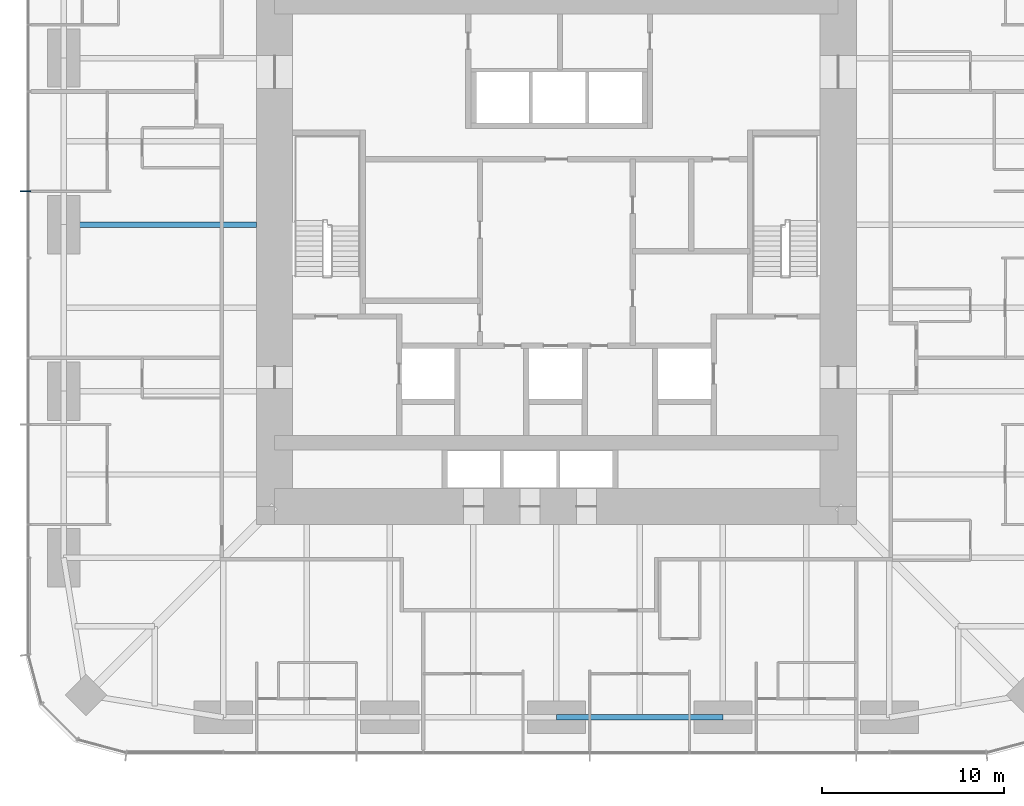
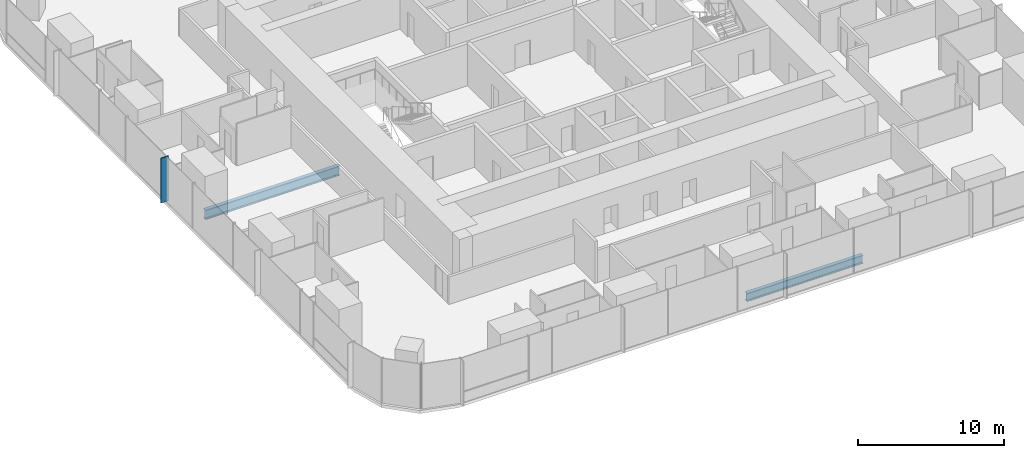
# One storey, part 3 of 13: 2 beams, 1 member, 1 element without a shape of its own.
"""IFC4 building model written with IfcOpenShell, lengths in metres."""

from ifc_helpers import new_model, si_unit, direction, frame, origin, origin_2d, place, context, subcontext, project, spatial, rectangle, i_section, extrude, material, material_profile, profile_set, type_object, element, aggregate, save


model = new_model("IFC4")

# Units and contexts
model_context = context("Model", 3, precision=1e-05, world=origin(), true_north=direction((0.0, 1.0)))
body_context = subcontext(model_context, "Body", "Model", "MODEL_VIEW")
ifc_project = project(units=[si_unit("LENGTHUNIT", "METRE"), si_unit("AREAUNIT", "SQUARE_METRE"), si_unit("VOLUMEUNIT", "CUBIC_METRE"), si_unit("PLANEANGLEUNIT", "RADIAN"), si_unit("MASSUNIT", "GRAM", prefix="KILO")], contexts=[model_context])

# Site, building, storey
site_placement = place(None, origin())
site = spatial("IfcSite", under=ifc_project, at=site_placement, CompositionType="ELEMENT")
building_placement = place(site_placement, origin())
building = spatial("IfcBuilding", under=site, at=building_placement, Name="Khuree Lantern Residences", CompositionType="ELEMENT")
storey_placement = place(building_placement, frame((0.0, 0.0, 122.25)))
storey = spatial("IfcBuildingStorey", under=building, at=storey_placement, Name="L30", CompositionType="ELEMENT", Elevation=122.25)

# Beam
ifc_material_1 = material(Name="Steel S355", Category="steel")
ifc_material_profile_1 = material_profile(ifc_material_1, i_section(OverallWidth=0.300048828125, OverallDepth=0.68994140625, WebThickness=0.014404296875, FlangeThickness=0.027099609375, FilletRadius=0.027099609375, at=origin_2d()), Name="HE 700 A")
ifc_profile_set_1 = profile_set([ifc_material_profile_1], Name="Steel S355")
beam_type_1 = type_object("IfcBeamType", Name="E-22 SPANDREL BEAM HE 700 A", PredefinedType="SPANDREL", material=ifc_profile_set_1)
beam_1_placement = place(storey_placement, frame((9.159912109375, -27.10009765625, -0.594970703125), z_axis=(-1.0, 0.0, 0.0), x_axis=(0.0, -1.0, 0.0)))
element("IfcBeam", 1, at=beam_1_placement, inside=storey, type_object=beam_type_1, Name="Spandrel beam S3", PredefinedType="SPANDREL", context=body_context, shape_type="SweptSolid", body=[
    extrude(i_section(OverallWidth=0.300048828125, OverallDepth=0.68994140625, WebThickness=0.014404296875, FlangeThickness=0.027099609375, FilletRadius=0.027099609375, at=origin_2d()), origin(), (0.0, 0.0, 1.0), 9.159912109375),
])

# Curtain wall, member
ifc_material_2 = material(Name="Bronze anodised aluminium", Category="aluminium")
curtain_wall_type = type_object("IfcCurtainWallType", Name="CW-T1 TOWER FACE CURTAIN WALL", PredefinedType="USERDEFINED", material=ifc_material_2)
curtain_wall_placement = place(storey_placement, origin())
curtain_wall = element("IfcCurtainWall", 2, at=curtain_wall_placement, inside=storey, type_object=curtain_wall_type, Name="L30 WEST FACE CURTAIN WALL", ObjectType="Stick-built curtain wall", PredefinedType="USERDEFINED")
ifc_material_profile_2 = material_profile(ifc_material_2, rectangle(XDim=0.06494140625, YDim=0.60009765625, at=origin_2d()), Name="F1 65X600")
ifc_profile_set_2 = profile_set([ifc_material_profile_2], Name="Bronze anodised aluminium")
member_type = type_object("IfcMemberType", Name="F1 BRONZE FIN MULLION TOWER 65X600", PredefinedType="MULLION", material=ifc_profile_set_2)
member_placement = place(storey_placement, frame((-29.199951171875, 1.83203125, 0.0), z_axis=(0.0, 0.0, 1.0), x_axis=(0.0, -1.0, 0.0)))
member = element("IfcMember", 3, at=member_placement, type_object=member_type, Name="L30 WEST FACE FIN MULLION 37", PredefinedType="MULLION", context=body_context, shape_type="SweptSolid", body=[
    extrude(rectangle(XDim=0.06494140625, YDim=0.60009765625, at=origin_2d()), origin(), (0.0, 0.0, 1.0), 3.75),
])
aggregate(curtain_wall, [member])

# Beam
ifc_material_profile_3 = material_profile(ifc_material_1, i_section(OverallWidth=0.300048828125, OverallDepth=0.800048828125, WebThickness=0.017578125, FlangeThickness=0.032958984375, FilletRadius=0.030029296875, at=origin_2d()), Name="HE 800 B")
ifc_profile_set_3 = profile_set([ifc_material_profile_3], Name="Steel S355")
beam_type_2 = type_object("IfcBeamType", Name="G-22 GIRDER HE 800 B", PredefinedType="BEAM", material=ifc_profile_set_3)
beam_2_placement = place(storey_placement, frame((-27.10009765625, 0.0, -0.64990234375), z_axis=(1.0, 0.0, 0.0), x_axis=(0.0, 1.0, 0.0)))
element("IfcBeam", 4, at=beam_2_placement, inside=storey, type_object=beam_type_2, Name="Girder W3", PredefinedType="BEAM", context=body_context, shape_type="SweptSolid", body=[
    extrude(i_section(OverallWidth=0.300048828125, OverallDepth=0.800048828125, WebThickness=0.017578125, FlangeThickness=0.032958984375, FilletRadius=0.030029296875, at=origin_2d()), origin(), (0.0, 0.0, 1.0), 10.60009765625),
])

save(model, "model.ifc")
